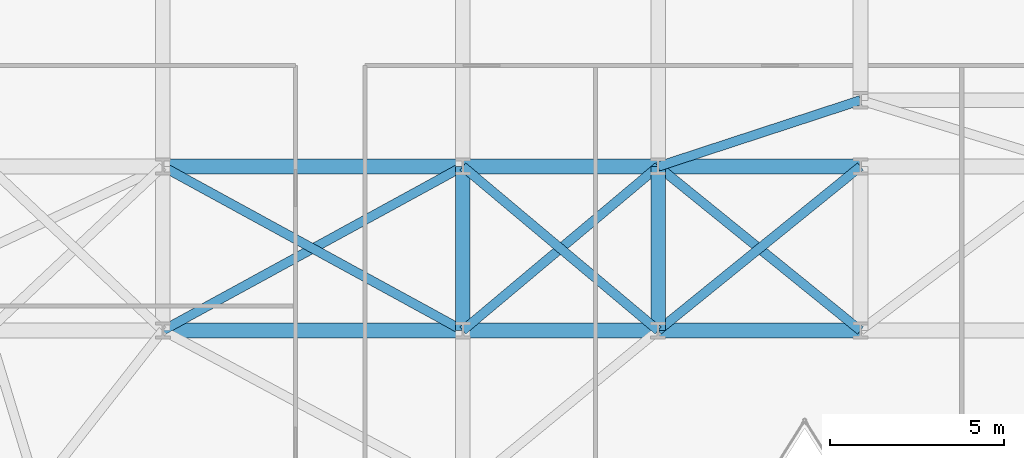
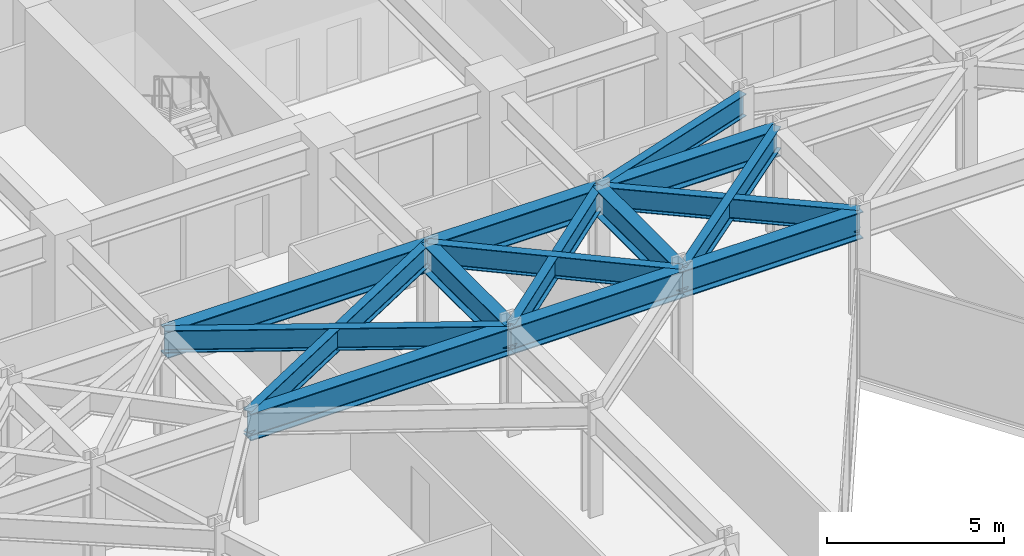
# One storey, part 11 of 25: 15 beams.
"""IFC4 building model written with IfcOpenShell, lengths in metres."""

from ifc_helpers import new_model, si_unit, direction, frame, origin, origin_2d, place, context, subcontext, project, spatial, i_section, extrude, material, material_profile, profile_set, type_object, element, save


model = new_model("IFC4")

# Units and contexts
model_context = context("Model", 3, precision=1e-05, world=origin(), true_north=direction((0.0, 1.0)))
body_context = subcontext(model_context, "Body", "Model", "MODEL_VIEW")
ifc_project = project(units=[si_unit("LENGTHUNIT", "METRE"), si_unit("AREAUNIT", "SQUARE_METRE"), si_unit("VOLUMEUNIT", "CUBIC_METRE"), si_unit("PLANEANGLEUNIT", "RADIAN"), si_unit("MASSUNIT", "GRAM", prefix="KILO")], contexts=[model_context])

# Site, building, storey
site_placement = place(None, origin())
site = spatial("IfcSite", under=ifc_project, at=site_placement, CompositionType="ELEMENT")
building_placement = place(site_placement, origin())
building = spatial("IfcBuilding", under=site, at=building_placement, Name="Kravanh Interchange Tower", CompositionType="ELEMENT")
storey_placement = place(building_placement, frame((0.0, 0.0, 81.5)))
storey = spatial("IfcBuildingStorey", under=building, at=storey_placement, Name="L19", CompositionType="ELEMENT", Elevation=81.5)

# Beams
ifc_material_1 = material(Name="Structural Steel S355", Category="steel")
ifc_material_profile_1 = material_profile(ifc_material_1, i_section(OverallWidth=0.41796875, OverallDepth=0.927001953125, WebThickness=0.019287109375, FlangeThickness=0.031982421875, FilletRadius=0.028076171875, at=origin_2d()), Name="W36X231")
ifc_profile_set_1 = profile_set([ifc_material_profile_1], Name="Structural Steel S355")
beam_type_1 = type_object("IfcBeamType", Name="Floor Beam W36X231 Structural Steel S355", PredefinedType="BEAM", material=ifc_profile_set_1)
beam_1_placement = place(storey_placement, frame((18.60009765625, 26.800048828125, 3.256591796875), z_axis=(1.0, 0.0, 0.0), x_axis=(0.0, 1.0, 0.0)))
element("IfcBeam", 1, at=beam_1_placement, inside=storey, type_object=beam_type_1, Name="L19 Primary Floor Girder 76", PredefinedType="BEAM", context=body_context, shape_type="SweptSolid", body=[
    extrude(i_section(OverallWidth=0.41796875, OverallDepth=0.927001953125, WebThickness=0.019287109375, FlangeThickness=0.031982421875, FilletRadius=0.028076171875, at=origin_2d()), origin(), (0.0, 0.0, 1.0), 8.599853515625),
])
beam_2_placement = place(storey_placement, frame((27.199951171875, 26.800048828125, 3.256591796875), z_axis=(0.0, 1.0, 0.0), x_axis=(-1.0, 0.0, 0.0)))
element("IfcBeam", 2, at=beam_2_placement, inside=storey, type_object=beam_type_1, Name="L19 Primary Floor Girder 78", PredefinedType="BEAM", context=body_context, shape_type="SweptSolid", body=[
    extrude(i_section(OverallWidth=0.41796875, OverallDepth=0.927001953125, WebThickness=0.019287109375, FlangeThickness=0.031982421875, FilletRadius=0.028076171875, at=origin_2d()), origin(), (0.0, 0.0, 1.0), 4.699951171875),
])
beam_3_placement = place(storey_placement, frame((27.199951171875, 26.800048828125, 3.256591796875), z_axis=(1.0, 0.0, 0.0), x_axis=(0.0, 1.0, 0.0)))
element("IfcBeam", 3, at=beam_3_placement, inside=storey, type_object=beam_type_1, Name="L19 Primary Floor Girder 79", PredefinedType="BEAM", context=body_context, shape_type="SweptSolid", body=[
    extrude(i_section(OverallWidth=0.41796875, OverallDepth=0.927001953125, WebThickness=0.019287109375, FlangeThickness=0.031982421875, FilletRadius=0.028076171875, at=origin_2d()), origin(), (0.0, 0.0, 1.0), 5.60009765625),
])
beam_4_placement = place(storey_placement, frame((32.800048828125, 26.800048828125, 3.256591796875), z_axis=(0.0, 1.0, 0.0), x_axis=(-1.0, 0.0, 0.0)))
element("IfcBeam", 4, at=beam_4_placement, inside=storey, type_object=beam_type_1, Name="L19 Primary Floor Girder 82", PredefinedType="BEAM", context=body_context, shape_type="SweptSolid", body=[
    extrude(i_section(OverallWidth=0.41796875, OverallDepth=0.927001953125, WebThickness=0.019287109375, FlangeThickness=0.031982421875, FilletRadius=0.028076171875, at=origin_2d()), origin(), (0.0, 0.0, 1.0), 4.699951171875),
])
beam_5_placement = place(storey_placement, frame((32.800048828125, 26.800048828125, 3.256591796875), z_axis=(1.0, 0.0, 0.0), x_axis=(0.0, 1.0, 0.0)))
element("IfcBeam", 5, at=beam_5_placement, inside=storey, type_object=beam_type_1, Name="L19 Primary Floor Girder 83", PredefinedType="BEAM", context=body_context, shape_type="SweptSolid", body=[
    extrude(i_section(OverallWidth=0.41796875, OverallDepth=0.927001953125, WebThickness=0.019287109375, FlangeThickness=0.031982421875, FilletRadius=0.028076171875, at=origin_2d()), origin(), (0.0, 0.0, 1.0), 5.800048828125),
])
beam_6_placement = place(storey_placement, frame((18.60009765625, 31.5, 3.256591796875), z_axis=(1.0, 0.0, 0.0), x_axis=(0.0, 1.0, 0.0)))
element("IfcBeam", 6, at=beam_6_placement, inside=storey, type_object=beam_type_1, Name="L19 Primary Floor Girder 106", PredefinedType="BEAM", context=body_context, shape_type="SweptSolid", body=[
    extrude(i_section(OverallWidth=0.41796875, OverallDepth=0.927001953125, WebThickness=0.019287109375, FlangeThickness=0.031982421875, FilletRadius=0.028076171875, at=origin_2d()), origin(), (0.0, 0.0, 1.0), 8.599853515625),
])
beam_7_placement = place(storey_placement, frame((27.199951171875, 31.5, 3.256591796875), z_axis=(1.0, 0.0, 0.0), x_axis=(0.0, 1.0, 0.0)))
element("IfcBeam", 7, at=beam_7_placement, inside=storey, type_object=beam_type_1, Name="L19 Primary Floor Girder 107", PredefinedType="BEAM", context=body_context, shape_type="SweptSolid", body=[
    extrude(i_section(OverallWidth=0.41796875, OverallDepth=0.927001953125, WebThickness=0.019287109375, FlangeThickness=0.031982421875, FilletRadius=0.028076171875, at=origin_2d()), origin(), (0.0, 0.0, 1.0), 5.60009765625),
])
beam_8_placement = place(storey_placement, frame((32.800048828125, 31.5, 3.256591796875), z_axis=(1.0, 0.0, 0.0), x_axis=(0.0, 1.0, 0.0)))
element("IfcBeam", 8, at=beam_8_placement, inside=storey, type_object=beam_type_1, Name="L19 Primary Floor Girder 109", PredefinedType="BEAM", context=body_context, shape_type="SweptSolid", body=[
    extrude(i_section(OverallWidth=0.41796875, OverallDepth=0.927001953125, WebThickness=0.019287109375, FlangeThickness=0.031982421875, FilletRadius=0.028076171875, at=origin_2d()), origin(), (0.0, 0.0, 1.0), 5.800048828125),
])
ifc_material_2 = material(Name="Structural Steel S355", Category="steel")
ifc_material_profile_2 = material_profile(ifc_material_2, i_section(OverallWidth=0.26708984375, OverallDepth=0.761962890625, WebThickness=0.014404296875, FlangeThickness=0.021484375, FilletRadius=0.02490234375, at=origin_2d()), Name="W30X116")
ifc_profile_set_2 = profile_set([ifc_material_profile_2], Name="Structural Steel S355")
beam_type_2 = type_object("IfcBeamType", Name="Floor Spandrel W30X116 Structural Steel S355", PredefinedType="SPANDREL", material=ifc_profile_set_2)
beam_9_placement = place(storey_placement, frame((18.60009765625, 26.800048828125, 3.339111328125), z_axis=(0.877503996342, 0.479569323877, 0.0), x_axis=(-0.479569323877, 0.877503996342, 0.0)))
element("IfcBeam", 9, at=beam_9_placement, inside=storey, type_object=beam_type_2, Name="L19 Perimeter Spandrel 77", PredefinedType="SPANDREL", context=body_context, shape_type="SweptSolid", body=[
    extrude(i_section(OverallWidth=0.26708984375, OverallDepth=0.761962890625, WebThickness=0.014404296875, FlangeThickness=0.021484375, FilletRadius=0.02490234375, at=origin_2d()), origin(), (0.0, 0.0, 1.0), 9.80029296875),
])
beam_10_placement = place(storey_placement, frame((27.199951171875, 26.800048828125, 3.339111328125), z_axis=(0.765983062929, 0.642860752657, 0.0), x_axis=(-0.642860752657, 0.765983062929, 0.0)))
element("IfcBeam", 10, at=beam_10_placement, inside=storey, type_object=beam_type_2, Name="L19 Perimeter Spandrel 80", PredefinedType="SPANDREL", context=body_context, shape_type="SweptSolid", body=[
    extrude(i_section(OverallWidth=0.26708984375, OverallDepth=0.761962890625, WebThickness=0.014404296875, FlangeThickness=0.021484375, FilletRadius=0.02490234375, at=origin_2d()), origin(), (0.0, 0.0, 1.0), 7.31103515625),
])
beam_11_placement = place(storey_placement, frame((27.199951171875, 26.800048828125, 3.339111328125), z_axis=(-0.877503996342, 0.479569323877, 0.0), x_axis=(-0.479569323877, -0.877503996342, 0.0)))
element("IfcBeam", 11, at=beam_11_placement, inside=storey, type_object=beam_type_2, Name="L19 Perimeter Spandrel 81", PredefinedType="SPANDREL", context=body_context, shape_type="SweptSolid", body=[
    extrude(i_section(OverallWidth=0.26708984375, OverallDepth=0.761962890625, WebThickness=0.014404296875, FlangeThickness=0.021484375, FilletRadius=0.02490234375, at=origin_2d()), origin(), (0.0, 0.0, 1.0), 9.80029296875),
])
beam_12_placement = place(storey_placement, frame((32.800048828125, 26.800048828125, 3.339111328125), z_axis=(-0.765983062929, 0.642860752657, 0.0), x_axis=(-0.642860752657, -0.765983062929, 0.0)))
element("IfcBeam", 12, at=beam_12_placement, inside=storey, type_object=beam_type_2, Name="L19 Perimeter Spandrel 84", PredefinedType="SPANDREL", context=body_context, shape_type="SweptSolid", body=[
    extrude(i_section(OverallWidth=0.26708984375, OverallDepth=0.761962890625, WebThickness=0.014404296875, FlangeThickness=0.021484375, FilletRadius=0.02490234375, at=origin_2d()), origin(), (0.0, 0.0, 1.0), 7.31103515625),
])
for number, where, z_axis, x_axis, name in (
    (13, (32.800048828125, 26.800048828125, 3.339111328125), (0.776938619557, 0.629576350764, 0.0), (-0.629576350764, 0.776938619557, 0.0), "L19 Perimeter Spandrel 85"),
    (14, (38.60009765625, 26.800048828125, 3.339111328125), (-0.776938619557, 0.629576350764, 0.0), (-0.629576350764, -0.776938619557, 0.0), "L19 Perimeter Spandrel 87"),
):
    element("IfcBeam", number, at=place(storey_placement, frame(where, z_axis=z_axis, x_axis=x_axis)), inside=storey, type_object=beam_type_2, Name=name, PredefinedType="SPANDREL", context=body_context, shape_type="SweptSolid", body=[
        extrude(i_section(OverallWidth=0.26708984375, OverallDepth=0.761962890625, WebThickness=0.014404296875, FlangeThickness=0.021484375, FilletRadius=0.02490234375, at=origin_2d()), origin(), (0.0, 0.0, 1.0), 7.46533203125),
    ])
beam_13_placement = place(storey_placement, frame((32.800048828125, 31.5, 3.339111328125), z_axis=(0.950314536578, 0.31129131303, 0.0), x_axis=(-0.31129131303, 0.950314536578, 0.0)))
element("IfcBeam", 15, at=beam_13_placement, inside=storey, type_object=beam_type_2, Name="L19 Perimeter Spandrel 110", PredefinedType="SPANDREL", context=body_context, shape_type="SweptSolid", body=[
    extrude(i_section(OverallWidth=0.26708984375, OverallDepth=0.761962890625, WebThickness=0.014404296875, FlangeThickness=0.021484375, FilletRadius=0.02490234375, at=origin_2d()), origin(), (0.0, 0.0, 1.0), 6.103271484375),
])

save(model, "model.ifc")
